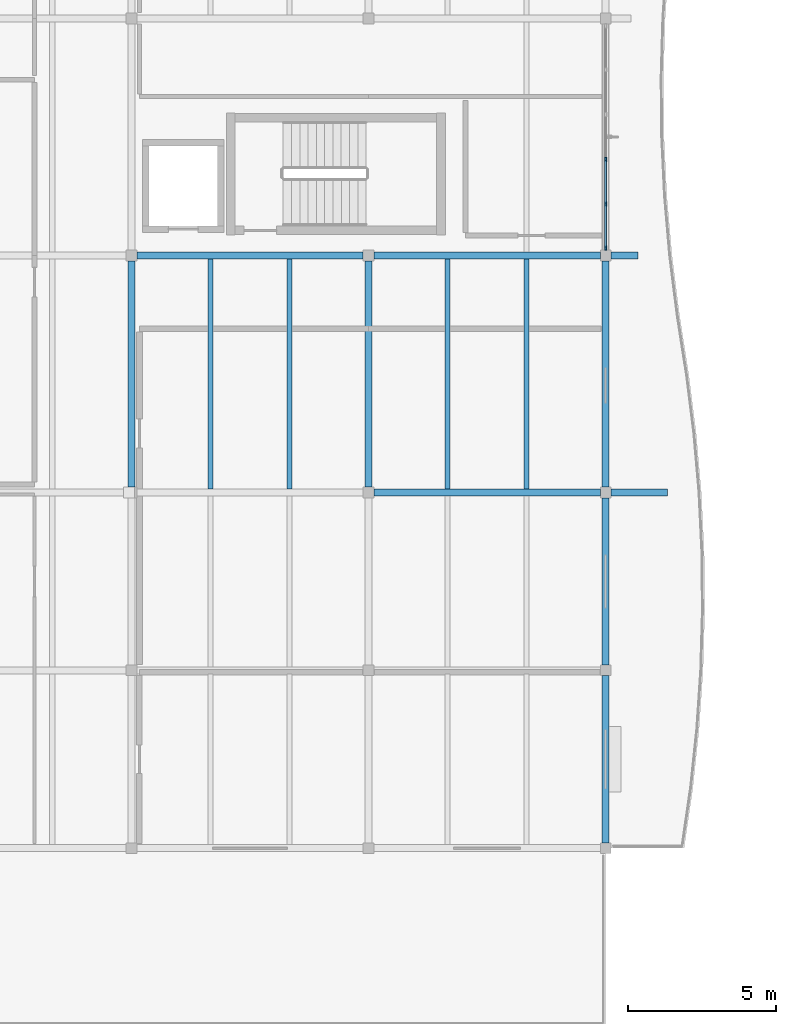
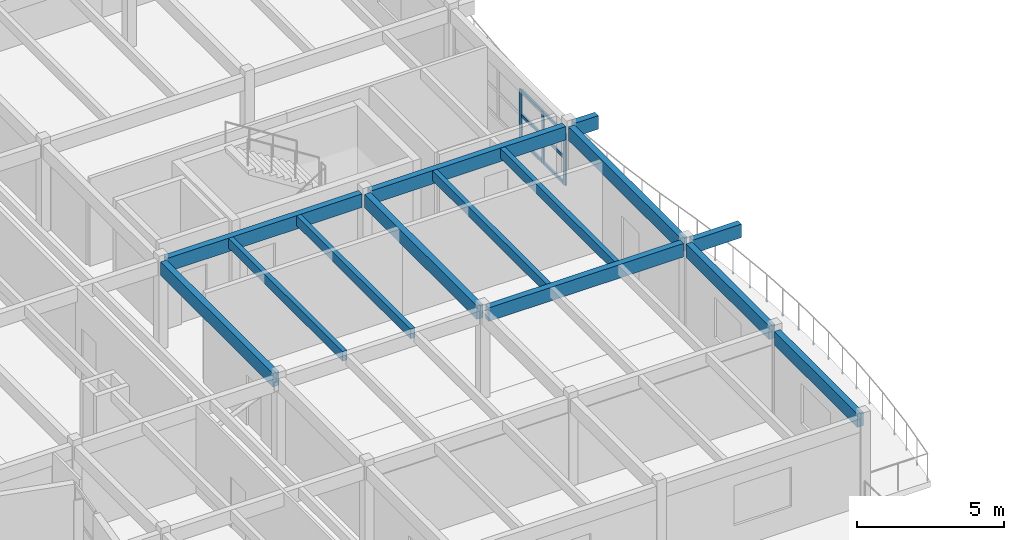
# One storey, part 8 of 63: 14 beams, 9 members, 1 element without a shape of its own.
"""IFC4 building model written with IfcOpenShell, lengths in metres."""

from ifc_helpers import new_model, si_unit, direction, frame, origin, origin_2d, place, context, subcontext, project, spatial, rectangle, extrude, material, layer, layer_set, material_profile, profile_set, type_object, element, aggregate, save


model = new_model("IFC4")

# Units and contexts
model_context = context("Model", 3, precision=1e-05, world=origin(), true_north=direction((0.0, 1.0)))
body_context = subcontext(model_context, "Body", "Model", "MODEL_VIEW")
ifc_project = project(units=[si_unit("LENGTHUNIT", "METRE"), si_unit("AREAUNIT", "SQUARE_METRE"), si_unit("VOLUMEUNIT", "CUBIC_METRE"), si_unit("PLANEANGLEUNIT", "RADIAN"), si_unit("MASSUNIT", "GRAM", prefix="KILO")], contexts=[model_context])

# Site, building, storey
site_placement = place(None, origin())
site = spatial("IfcSite", under=ifc_project, at=site_placement, CompositionType="ELEMENT")
building_placement = place(site_placement, origin())
building = spatial("IfcBuilding", under=site, at=building_placement, Name="Tonlespit Floodbar School", CompositionType="ELEMENT")
storey_placement = place(building_placement, frame((0.0, 0.0, 8.39990234375)))
storey = spatial("IfcBuildingStorey", under=building, at=storey_placement, Name="L02", CompositionType="ELEMENT", Elevation=8.39990234375)

# Beams
ifc_material_1 = material(Name="Glulam GL28h", Category="wood")
ifc_material_profile_1 = material_profile(ifc_material_1, rectangle(XDim=0.239990234375, YDim=0.56005859375, at=origin_2d()), Name="GL 240x560")
ifc_profile_set_1 = profile_set([ifc_material_profile_1], Name="Glulam GL28h")
beam_type_1 = type_object("IfcBeamType", Name="Beam_GL_240x560", PredefinedType="BEAM", material=ifc_profile_set_1)
for number, where, z_axis, x_axis, name in (
    (1, (28.179931640625, 56.0, 3.3681640625), (1.0, 0.0, 0.0), (0.0, 1.0, 0.0), "L02 girder 0935"),
    (2, (20.179931640625, 64.0, 3.3701171875), (1.0, 0.0, 0.0), (0.0, 1.0, 0.0), "L02 girder 0938"),
    (3, (28.179931640625, 64.0, 3.3701171875), (1.0, 0.0, 0.0), (0.0, 1.0, 0.0), "L02 girder 0939"),
    (4, (20.0, 56.179931640625, 3.3701171875), (0.0, 1.0, 0.0), (-1.0, 0.0, 0.0), "L02 girder 1012"),
    (5, (28.0, 56.179931640625, 3.3701171875), (0.0, 1.0, 0.0), (-1.0, 0.0, 0.0), "L02 girder 1021"),
):
    element("IfcBeam", number, at=place(storey_placement, frame(where, z_axis=z_axis, x_axis=x_axis)), inside=storey, type_object=beam_type_1, Name=name, PredefinedType="BEAM", context=body_context, shape_type="SweptSolid", body=[
        extrude(rectangle(XDim=0.239990234375, YDim=0.56005859375, at=origin_2d()), origin(), (0.0, 0.0, 1.0), 7.64013671875),
    ])
for number, where, z_axis, x_axis, name in (
    (6, (36.0, 44.179931640625, 3.3681640625), (0.0, 1.0, 0.0), (-1.0, 0.0, 0.0), "L02 girder 1025"),
    (7, (36.0, 50.179931640625, 3.3681640625), (0.0, 1.0, 0.0), (-1.0, 0.0, 0.0), "L02 girder 1026"),
):
    element("IfcBeam", number, at=place(storey_placement, frame(where, z_axis=z_axis, x_axis=x_axis)), inside=storey, type_object=beam_type_1, Name=name, PredefinedType="BEAM", context=body_context, shape_type="SweptSolid", body=[
        extrude(rectangle(XDim=0.239990234375, YDim=0.56005859375, at=origin_2d()), origin(), (0.0, 0.0, 1.0), 5.64013671875),
    ])
beam_1_placement = place(storey_placement, frame((36.0, 56.179931640625, 3.3701171875), z_axis=(0.0, 1.0, 0.0), x_axis=(-1.0, 0.0, 0.0)))
element("IfcBeam", 8, at=beam_1_placement, inside=storey, type_object=beam_type_1, Name="L02 girder 1027", PredefinedType="BEAM", context=body_context, shape_type="SweptSolid", body=[
    extrude(rectangle(XDim=0.239990234375, YDim=0.56005859375, at=origin_2d()), origin(), (0.0, 0.0, 1.0), 7.64013671875),
])
beam_2_placement = place(storey_placement, frame((36.179931640625, 56.0, 3.3759765625), z_axis=(1.0, 0.0, 0.0), x_axis=(0.0, 1.0, 0.0)))
element("IfcBeam", 9, at=beam_2_placement, inside=storey, type_object=beam_type_1, Name="L02 V2 court gallery cantilever rib", PredefinedType="BEAM", context=body_context, shape_type="SweptSolid", body=[
    extrude(rectangle(XDim=0.239990234375, YDim=0.56005859375, at=origin_2d()), origin(), (0.0, 0.0, 1.0), 1.901611328125),
])
beam_3_placement = place(storey_placement, frame((36.179931640625, 64.0, 3.3759765625), z_axis=(1.0, 0.0, 0.0), x_axis=(0.0, 1.0, 0.0)))
element("IfcBeam", 10, at=beam_3_placement, inside=storey, type_object=beam_type_1, Name="L02 V2 court gallery cantilever rib", PredefinedType="BEAM", context=body_context, shape_type="SweptSolid", body=[
    extrude(rectangle(XDim=0.239990234375, YDim=0.56005859375, at=origin_2d()), origin(), (0.0, 0.0, 1.0), 0.912353515625),
])

# Curtain wall, members
ifc_material_2 = material(Name="Anodised Aluminium", Category="aluminium")
ifc_layer = layer(ifc_material_2, 0.159912109375)
ifc_layer_set = layer_set([ifc_layer], Name="Anodised Aluminium")
curtain_wall_type = type_object("IfcCurtainWallType", Name="CurtainWall_7550x2150", PredefinedType="NOTDEFINED", material=ifc_layer_set)
curtain_wall_placement = place(storey_placement, origin())
curtain_wall = element("IfcCurtainWall", 11, at=curtain_wall_placement, inside=storey, type_object=curtain_wall_type, Name="L02 unitised curtain wall 0298", PredefinedType="NOTDEFINED")
ifc_material_profile_2 = material_profile(ifc_material_2, rectangle(XDim=0.06494140625, YDim=0.14990234375, at=origin_2d()), Name="ALU M65x150")
ifc_profile_set_2 = profile_set([ifc_material_profile_2], Name="Anodised Aluminium")
member_type_1 = type_object("IfcMemberType", Name="CW_Mullion_65x150", PredefinedType="MULLION", material=ifc_profile_set_2)
member_1_placement = place(storey_placement, frame((36.0, 67.243896484375, 0.9501953125), z_axis=(0.0, 0.0, 1.0), x_axis=(1.0, 0.0, 0.0)))
member_1 = element("IfcMember", 12, at=member_1_placement, type_object=member_type_1, Name="CW-37 mullion 4", PredefinedType="MULLION", context=body_context, shape_type="SweptSolid", body=[
    extrude(rectangle(XDim=0.06494140625, YDim=0.14990234375, at=origin_2d()), origin(), (0.0, 0.0, 1.0), 2.139892578125),
])
member_2_placement = place(storey_placement, frame((36.0, 65.73193359375, 0.9501953125), z_axis=(0.0, 0.0, 1.0), x_axis=(1.0, 0.0, 0.0)))
member_2 = element("IfcMember", 13, at=member_2_placement, type_object=member_type_1, Name="CW-37 mullion 5", PredefinedType="MULLION", context=body_context, shape_type="SweptSolid", body=[
    extrude(rectangle(XDim=0.06494140625, YDim=0.14990234375, at=origin_2d()), origin(), (0.0, 0.0, 1.0), 2.139892578125),
])
member_3_placement = place(storey_placement, frame((36.0, 64.25244140625, 0.9501953125), z_axis=(0.0, 0.0, 1.0), x_axis=(1.0, 0.0, 0.0)))
member_3 = element("IfcMember", 14, at=member_3_placement, type_object=member_type_1, Name="CW-37 mullion 6", PredefinedType="MULLION", context=body_context, shape_type="SweptSolid", body=[
    extrude(rectangle(XDim=0.06494140625, YDim=0.14990234375, at=origin_2d()), origin(), (0.0, 0.0, 1.0), 2.139892578125),
])
ifc_material_profile_3 = material_profile(ifc_material_2, rectangle(XDim=0.06494140625, YDim=0.1201171875, at=origin_2d()), Name="ALU T65x120")
ifc_profile_set_3 = profile_set([ifc_material_profile_3], Name="Anodised Aluminium")
member_type_2 = type_object("IfcMemberType", Name="CW_Transom_65x120", PredefinedType="USERDEFINED", material=ifc_profile_set_3)
member_4_placement = place(storey_placement, frame((36.0, 67.21142578125, 0.982666015625), z_axis=(0.0, -1.0, 0.0), x_axis=(1.0, 0.0, 0.0)))
member_4 = element("IfcMember", 15, at=member_4_placement, type_object=member_type_2, Name="CW-37 transom 4.1", ObjectType="TRANSOM", PredefinedType="USERDEFINED", context=body_context, shape_type="SweptSolid", body=[
    extrude(rectangle(XDim=0.06494140625, YDim=0.1201171875, at=origin_2d()), origin(), (0.0, 0.0, 1.0), 1.447021484375),
])
member_5_placement = place(storey_placement, frame((36.0, 67.21142578125, 2.06298828125), z_axis=(0.0, -1.0, 0.0), x_axis=(1.0, 0.0, 0.0)))
member_5 = element("IfcMember", 16, at=member_5_placement, type_object=member_type_2, Name="CW-37 transom 4.2", ObjectType="TRANSOM", PredefinedType="USERDEFINED", context=body_context, shape_type="SweptSolid", body=[
    extrude(rectangle(XDim=0.06494140625, YDim=0.1201171875, at=origin_2d()), origin(), (0.0, 0.0, 1.0), 1.447021484375),
])
member_6_placement = place(storey_placement, frame((36.0, 67.21142578125, 3.0576171875), z_axis=(0.0, -1.0, 0.0), x_axis=(1.0, 0.0, 0.0)))
member_6 = element("IfcMember", 17, at=member_6_placement, type_object=member_type_2, Name="CW-37 transom 4.3", ObjectType="TRANSOM", PredefinedType="USERDEFINED", context=body_context, shape_type="SweptSolid", body=[
    extrude(rectangle(XDim=0.06494140625, YDim=0.1201171875, at=origin_2d()), origin(), (0.0, 0.0, 1.0), 1.447021484375),
])
member_7_placement = place(storey_placement, frame((36.0, 65.699462890625, 0.982666015625), z_axis=(0.0, -1.0, 0.0), x_axis=(1.0, 0.0, 0.0)))
member_7 = element("IfcMember", 18, at=member_7_placement, type_object=member_type_2, Name="CW-37 transom 5.1", ObjectType="TRANSOM", PredefinedType="USERDEFINED", context=body_context, shape_type="SweptSolid", body=[
    extrude(rectangle(XDim=0.06494140625, YDim=0.1201171875, at=origin_2d()), origin(), (0.0, 0.0, 1.0), 1.41455078125),
])
member_8_placement = place(storey_placement, frame((36.0, 65.699462890625, 2.06298828125), z_axis=(0.0, -1.0, 0.0), x_axis=(1.0, 0.0, 0.0)))
member_8 = element("IfcMember", 19, at=member_8_placement, type_object=member_type_2, Name="CW-37 transom 5.2", ObjectType="TRANSOM", PredefinedType="USERDEFINED", context=body_context, shape_type="SweptSolid", body=[
    extrude(rectangle(XDim=0.06494140625, YDim=0.1201171875, at=origin_2d()), origin(), (0.0, 0.0, 1.0), 1.41455078125),
])
member_9_placement = place(storey_placement, frame((36.0, 65.699462890625, 3.0576171875), z_axis=(0.0, -1.0, 0.0), x_axis=(1.0, 0.0, 0.0)))
member_9 = element("IfcMember", 20, at=member_9_placement, type_object=member_type_2, Name="CW-37 transom 5.3", ObjectType="TRANSOM", PredefinedType="USERDEFINED", context=body_context, shape_type="SweptSolid", body=[
    extrude(rectangle(XDim=0.06494140625, YDim=0.1201171875, at=origin_2d()), origin(), (0.0, 0.0, 1.0), 1.41455078125),
])
aggregate(curtain_wall, [member_1, member_2, member_3, member_4, member_5, member_6, member_7, member_8, member_9])

# Beams
ifc_material_profile_4 = material_profile(ifc_material_1, rectangle(XDim=0.179931640625, YDim=0.39990234375, at=origin_2d()), Name="GL 180x400")
ifc_profile_set_4 = profile_set([ifc_material_profile_4], Name="Glulam GL28h")
beam_type_2 = type_object("IfcBeamType", Name="Joist_GL_180x400", PredefinedType="JOIST", material=ifc_profile_set_4)
for number, where, z_axis, x_axis, name in (
    (21, (22.666748046875, 56.1201171875, 3.447998046875), (0.0, 1.0, 0.0), (-1.0, 0.0, 0.0), "L02 secondary joist 1079"),
    (22, (25.333251953125, 56.1201171875, 3.447998046875), (0.0, 1.0, 0.0), (-1.0, 0.0, 0.0), "L02 secondary joist 1080"),
    (23, (30.666748046875, 56.1201171875, 3.447998046875), (0.0, 1.0, 0.0), (-1.0, 0.0, 0.0), "L02 secondary joist 1081"),
    (24, (33.333251953125, 56.1201171875, 3.447998046875), (0.0, 1.0, 0.0), (-1.0, 0.0, 0.0), "L02 secondary joist 1082"),
):
    element("IfcBeam", number, at=place(storey_placement, frame(where, z_axis=z_axis, x_axis=x_axis)), inside=storey, type_object=beam_type_2, Name=name, PredefinedType="JOIST", context=body_context, shape_type="SweptSolid", body=[
        extrude(rectangle(XDim=0.179931640625, YDim=0.39990234375, at=origin_2d()), origin(), (0.0, 0.0, 1.0), 7.759765625),
    ])

save(model, "model.ifc")
